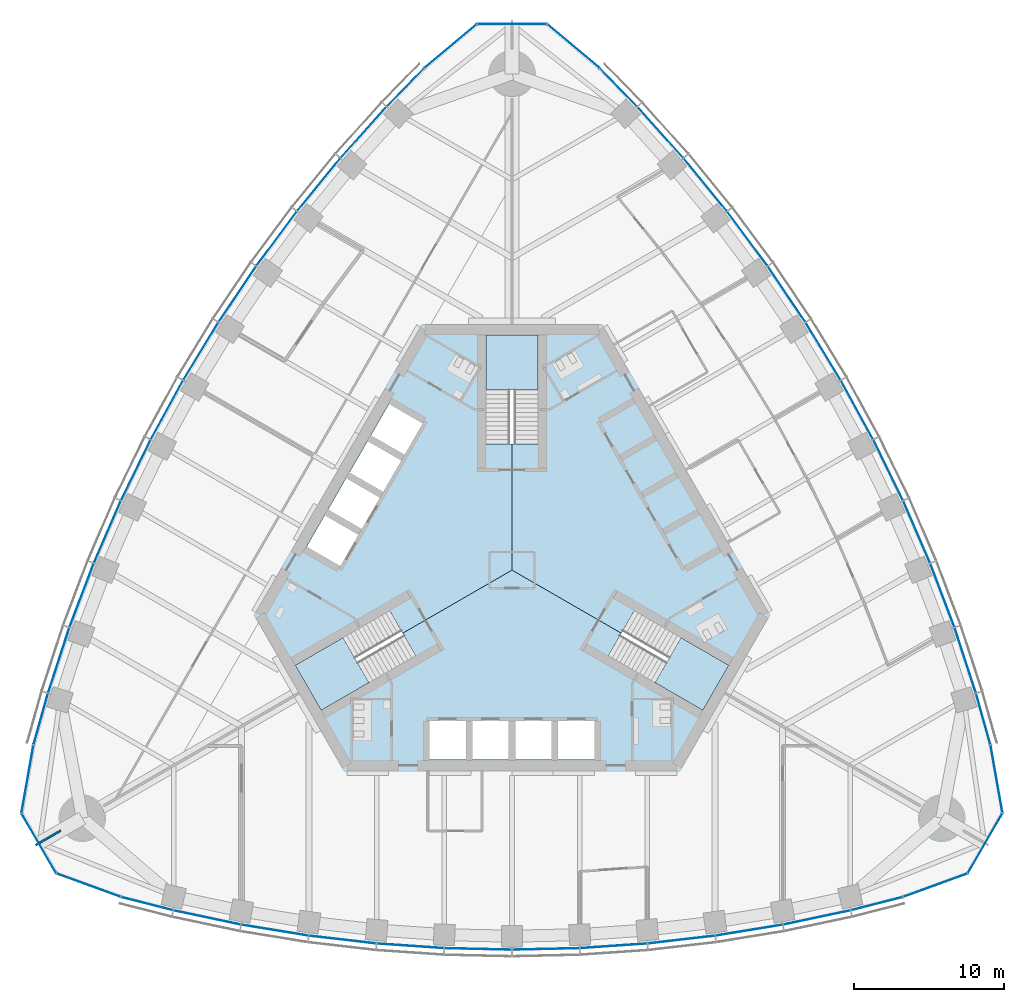
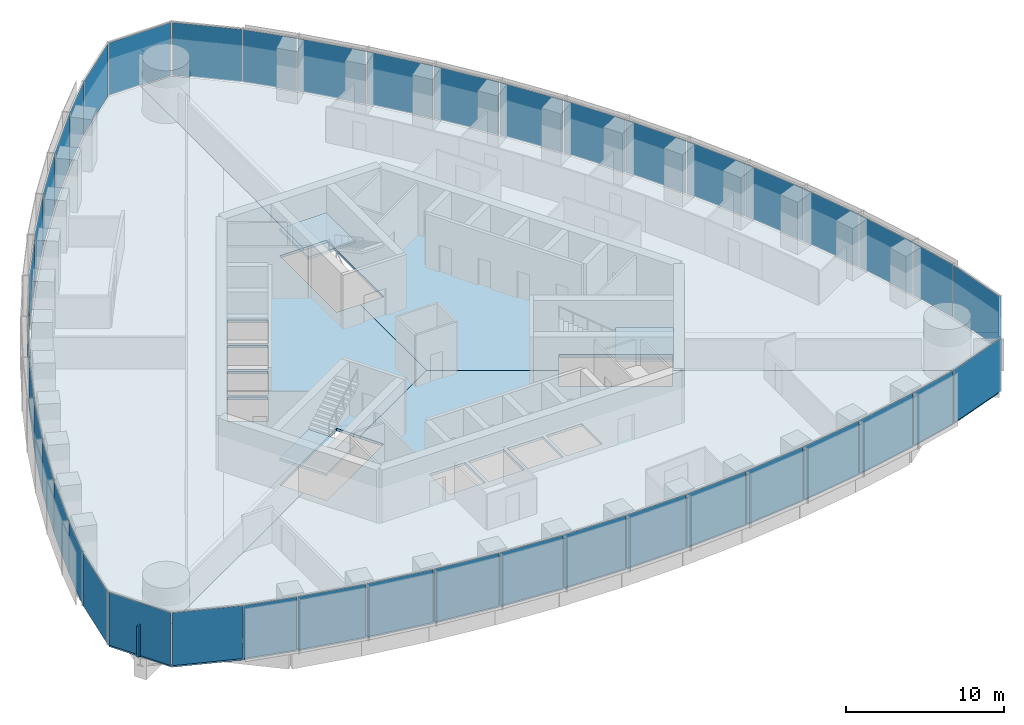
# One storey, part 10 of 19: 45 plates, 6 slabs, 1 wall, 9 elements without a shape of their own.
"""IFC4 building model written with IfcOpenShell, lengths in metres."""

from ifc_helpers import new_model, si_unit, direction, frame, frame_2d, origin, origin_2d, place, context, subcontext, project, spatial, polyline, rectangle, outline, extrude, material, layer, layer_set, type_object, element, aggregate, save


model = new_model("IFC4")

# Units and contexts
model_context = context("Model", 3, precision=1e-05, world=origin(), true_north=direction((0.0, 1.0)))
body_context = subcontext(model_context, "Body", "Model", "MODEL_VIEW")
ifc_project = project(units=[si_unit("LENGTHUNIT", "METRE"), si_unit("AREAUNIT", "SQUARE_METRE"), si_unit("VOLUMEUNIT", "CUBIC_METRE"), si_unit("PLANEANGLEUNIT", "RADIAN"), si_unit("MASSUNIT", "GRAM", prefix="KILO")], contexts=[model_context])

# Site, building, storey
site_placement = place(None, origin())
site = spatial("IfcSite", under=ifc_project, at=site_placement, CompositionType="ELEMENT")
building_placement = place(site_placement, origin())
building = spatial("IfcBuilding", under=site, at=building_placement, Name="Trefoil Bronze Tower", CompositionType="ELEMENT")
storey_placement = place(building_placement, frame((0.0, 0.0, 256.89990234375)))
storey = spatial("IfcBuildingStorey", under=building, at=storey_placement, Name="L59", CompositionType="ELEMENT", Elevation=256.89990234375)

# Curtain wall, plates
ifc_material_1 = material(Name="Tinted solar-control glass", Category="glass")
curtain_wall_type_1 = type_object("IfcCurtainWallType", Name="Bronze office curtain wall", PredefinedType="USERDEFINED", material=ifc_material_1)
curtain_wall_1_placement = place(storey_placement, origin())
curtain_wall_1 = element("IfcCurtainWall", 1, at=curtain_wall_1_placement, inside=storey, type_object=curtain_wall_type_1, Name="CW-A L59 F1", ObjectType="CURTAIN WALL", PredefinedType="USERDEFINED")
ifc_material_2 = material(Name="Tinted solar-control glass", Category="glass")
ifc_layer_1 = layer(ifc_material_2, 0.030029296875)
ifc_layer_set_1 = layer_set([ifc_layer_1], Name="Bronze office curtain wall glass panel")
plate_type_1 = type_object("IfcPlateType", Name="Bronze office curtain wall glass panel", PredefinedType="CURTAIN_PANEL", material=ifc_layer_set_1)
plate_1_placement = place(storey_placement, frame((-24.251220703125, -22.188232421875, 0.0), z_axis=(0.0, 0.0, 1.0), x_axis=(0.968934035393, -0.247319297786, 0.0)))
plate_1 = element("IfcPlate", 2, at=plate_1_placement, type_object=plate_type_1, Name="CW-A L59 F1 panel 1", PredefinedType="CURTAIN_PANEL", context=body_context, shape_type="SweptSolid", body=[
    extrude(rectangle(XDim=3.483642578125, YDim=0.030029296875, at=origin_2d()), origin(), (0.0, 0.0, 1.0), 4.080078125),
])
plate_2_placement = place(storey_placement, frame((-20.270751953125, -23.105224609375, 0.0), z_axis=(0.0, 0.0, 1.0), x_axis=(0.978394335897, -0.20674748725, 0.0)))
plate_2 = element("IfcPlate", 3, at=plate_2_placement, type_object=plate_type_1, Name="CW-A L59 F1 panel 2", PredefinedType="CURTAIN_PANEL", context=body_context, shape_type="SweptSolid", body=[
    extrude(rectangle(XDim=4.519287109375, YDim=0.030029296875, at=origin_2d()), origin(), (0.0, 0.0, 1.0), 4.080078125),
])
plate_3_placement = place(storey_placement, frame((-15.76611328125, -23.9482421875, 0.0), z_axis=(0.0, 0.0, 1.0), x_axis=(0.986986549528, -0.160802832848, 0.0)))
plate_3 = element("IfcPlate", 4, at=plate_3_placement, type_object=plate_type_1, Name="CW-A L59 F1 panel 3", PredefinedType="CURTAIN_PANEL", context=body_context, shape_type="SweptSolid", body=[
    extrude(rectangle(XDim=4.479248046875, YDim=0.030029296875, at=origin_2d()), origin(), (0.0, 0.0, 1.0), 4.080078125),
])
plate_4_placement = place(storey_placement, frame((-11.261474609375, -24.57568359375, 0.0), z_axis=(0.0, 0.0, 1.0), x_axis=(0.993381831741, -0.114858767043, 0.0)))
plate_4 = element("IfcPlate", 5, at=plate_4_placement, type_object=plate_type_1, Name="CW-A L59 F1 panel 4", PredefinedType="CURTAIN_PANEL", context=body_context, shape_type="SweptSolid", body=[
    extrude(rectangle(XDim=4.449951171875, YDim=0.030029296875, at=origin_2d()), origin(), (0.0, 0.0, 1.0), 4.080078125),
])
plate_5_placement = place(storey_placement, frame((-6.7568359375, -24.991455078125, 0.0), z_axis=(0.0, 0.0, 1.0), x_axis=(0.99762252804, -0.068915103905, 0.0)))
plate_5 = element("IfcPlate", 6, at=plate_5_placement, type_object=plate_type_1, Name="CW-A L59 F1 panel 5", PredefinedType="CURTAIN_PANEL", context=body_context, shape_type="SweptSolid", body=[
    extrude(rectangle(XDim=4.4306640625, YDim=0.030029296875, at=origin_2d()), origin(), (0.0, 0.0, 1.0), 4.080078125),
])
plate_6_placement = place(storey_placement, frame((-2.252197265625, -25.198974609375, 0.0), z_axis=(0.0, 0.0, 1.0), x_axis=(0.999736116243, -0.022971675577, 0.0)))
plate_6 = element("IfcPlate", 7, at=plate_6_placement, type_object=plate_type_1, Name="CW-A L59 F1 panel 6", PredefinedType="CURTAIN_PANEL", context=body_context, shape_type="SweptSolid", body=[
    extrude(rectangle(XDim=4.421142578125, YDim=0.030029296875, at=origin_2d()), origin(), (0.0, 0.0, 1.0), 4.080078125),
])
plate_7_placement = place(storey_placement, frame((2.252197265625, -25.198974609375, 0.0), z_axis=(0.0, 0.0, 1.0), x_axis=(0.999736116243, 0.022971675577, 0.0)))
plate_7 = element("IfcPlate", 8, at=plate_7_placement, type_object=plate_type_1, Name="CW-A L59 F1 panel 7", PredefinedType="CURTAIN_PANEL", context=body_context, shape_type="SweptSolid", body=[
    extrude(rectangle(XDim=4.421142578125, YDim=0.030029296875, at=origin_2d()), origin(), (0.0, 0.0, 1.0), 4.080078125),
])
plate_8_placement = place(storey_placement, frame((6.7568359375, -24.991455078125, 0.0), z_axis=(0.0, 0.0, 1.0), x_axis=(0.99762252804, 0.068915103905, 0.0)))
plate_8 = element("IfcPlate", 9, at=plate_8_placement, type_object=plate_type_1, Name="CW-A L59 F1 panel 8", PredefinedType="CURTAIN_PANEL", context=body_context, shape_type="SweptSolid", body=[
    extrude(rectangle(XDim=4.4306640625, YDim=0.030029296875, at=origin_2d()), origin(), (0.0, 0.0, 1.0), 4.080078125),
])
plate_9_placement = place(storey_placement, frame((11.261474609375, -24.57568359375, 0.0), z_axis=(0.0, 0.0, 1.0), x_axis=(0.993381831741, 0.114858767043, 0.0)))
plate_9 = element("IfcPlate", 10, at=plate_9_placement, type_object=plate_type_1, Name="CW-A L59 F1 panel 9", PredefinedType="CURTAIN_PANEL", context=body_context, shape_type="SweptSolid", body=[
    extrude(rectangle(XDim=4.449951171875, YDim=0.030029296875, at=origin_2d()), origin(), (0.0, 0.0, 1.0), 4.080078125),
])
plate_10_placement = place(storey_placement, frame((15.76611328125, -23.9482421875, 0.0), z_axis=(0.0, 0.0, 1.0), x_axis=(0.986986549528, 0.160802832848, 0.0)))
plate_10 = element("IfcPlate", 11, at=plate_10_placement, type_object=plate_type_1, Name="CW-A L59 F1 panel 10", PredefinedType="CURTAIN_PANEL", context=body_context, shape_type="SweptSolid", body=[
    extrude(rectangle(XDim=4.479248046875, YDim=0.030029296875, at=origin_2d()), origin(), (0.0, 0.0, 1.0), 4.080078125),
])
plate_11_placement = place(storey_placement, frame((20.270751953125, -23.105224609375, 0.0), z_axis=(0.0, 0.0, 1.0), x_axis=(0.978394335897, 0.20674748725, 0.0)))
plate_11 = element("IfcPlate", 12, at=plate_11_placement, type_object=plate_type_1, Name="CW-A L59 F1 panel 11", PredefinedType="CURTAIN_PANEL", context=body_context, shape_type="SweptSolid", body=[
    extrude(rectangle(XDim=4.519287109375, YDim=0.030029296875, at=origin_2d()), origin(), (0.0, 0.0, 1.0), 4.080078125),
])
plate_12_placement = place(storey_placement, frame((24.251220703125, -22.188232421875, 0.0), z_axis=(0.0, 0.0, 1.0), x_axis=(0.968934035393, 0.247319297786, 0.0)))
plate_12 = element("IfcPlate", 13, at=plate_12_placement, type_object=plate_type_1, Name="CW-A L59 F1 panel 12", PredefinedType="CURTAIN_PANEL", context=body_context, shape_type="SweptSolid", body=[
    extrude(rectangle(XDim=3.483642578125, YDim=0.030029296875, at=origin_2d()), origin(), (0.0, 0.0, 1.0), 4.080078125),
])
aggregate(curtain_wall_1, [plate_1, plate_2, plate_3, plate_4, plate_5, plate_6, plate_7, plate_8, plate_9, plate_10, plate_11, plate_12])

curtain_wall_2_placement = place(storey_placement, origin())
curtain_wall_2 = element("IfcCurtainWall", 14, at=curtain_wall_2_placement, inside=storey, type_object=curtain_wall_type_1, Name="CW-A L59 F2", ObjectType="CURTAIN WALL", PredefinedType="USERDEFINED")
plate_13_placement = place(storey_placement, frame((31.341064453125, -9.907958984375, 0.0), z_axis=(0.0, 0.0, 1.0), x_axis=(-0.270282222968, 0.962781138134, 0.0)))
plate_13 = element("IfcPlate", 15, at=plate_13_placement, type_object=plate_type_1, Name="CW-A L59 F2 panel 1", PredefinedType="CURTAIN_PANEL", context=body_context, shape_type="SweptSolid", body=[
    extrude(rectangle(XDim=3.483642578125, YDim=0.030029296875, at=origin_2d()), origin(), (0.0, 0.0, 1.0), 4.080078125),
])
plate_14_placement = place(storey_placement, frame((30.14501953125, -6.002197265625, 0.0), z_axis=(0.0, 0.0, 1.0), x_axis=(-0.310148591821, 0.950688093431, 0.0)))
plate_14 = element("IfcPlate", 16, at=plate_14_placement, type_object=plate_type_1, Name="CW-A L59 F2 panel 2", PredefinedType="CURTAIN_PANEL", context=body_context, shape_type="SweptSolid", body=[
    extrude(rectangle(XDim=4.519287109375, YDim=0.030029296875, at=origin_2d()), origin(), (0.0, 0.0, 1.0), 4.080078125),
])
plate_15_placement = place(storey_placement, frame((28.622802734375, -1.6796875, 0.0), z_axis=(0.0, 0.0, 1.0), x_axis=(-0.354233936517, 0.935156841508, 0.0)))
plate_15 = element("IfcPlate", 17, at=plate_15_placement, type_object=plate_type_1, Name="CW-A L59 F2 panel 3", PredefinedType="CURTAIN_PANEL", context=body_context, shape_type="SweptSolid", body=[
    extrude(rectangle(XDim=4.479248046875, YDim=0.030029296875, at=origin_2d()), origin(), (0.0, 0.0, 1.0), 4.080078125),
])
plate_16_placement = place(storey_placement, frame((26.913818359375, 2.53515625, 0.0), z_axis=(0.0, 0.0, 1.0), x_axis=(-0.397220305764, 0.917723285467, 0.0)))
plate_16 = element("IfcPlate", 18, at=plate_16_placement, type_object=plate_type_1, Name="CW-A L59 F2 panel 4", PredefinedType="CURTAIN_PANEL", context=body_context, shape_type="SweptSolid", body=[
    extrude(rectangle(XDim=4.449951171875, YDim=0.030029296875, at=origin_2d()), origin(), (0.0, 0.0, 1.0), 4.080078125),
])
plate_17_placement = place(storey_placement, frame((25.021728515625, 6.64404296875, 0.0), z_axis=(0.0, 0.0, 1.0), x_axis=(-0.439129033334, 0.898424004623, 0.0)))
plate_17 = element("IfcPlate", 19, at=plate_17_placement, type_object=plate_type_1, Name="CW-A L59 F2 panel 5", PredefinedType="CURTAIN_PANEL", context=body_context, shape_type="SweptSolid", body=[
    extrude(rectangle(XDim=4.4306640625, YDim=0.030029296875, at=origin_2d()), origin(), (0.0, 0.0, 1.0), 4.080078125),
])
plate_18_placement = place(storey_placement, frame((22.948974609375, 10.64892578125, 0.0), z_axis=(0.0, 0.0, 1.0), x_axis=(-0.479974003504, 0.877282711536, 0.0)))
plate_18 = element("IfcPlate", 20, at=plate_18_placement, type_object=plate_type_1, Name="CW-A L59 F2 panel 6", PredefinedType="CURTAIN_PANEL", context=body_context, shape_type="SweptSolid", body=[
    extrude(rectangle(XDim=4.421142578125, YDim=0.030029296875, at=origin_2d()), origin(), (0.0, 0.0, 1.0), 4.080078125),
])
plate_19_placement = place(storey_placement, frame((20.69677734375, 14.550048828125, 0.0), z_axis=(0.0, 0.0, 1.0), x_axis=(-0.519762112739, 0.854311035959, 0.0)))
plate_19 = element("IfcPlate", 21, at=plate_19_placement, type_object=plate_type_1, Name="CW-A L59 F2 panel 7", PredefinedType="CURTAIN_PANEL", context=body_context, shape_type="SweptSolid", body=[
    extrude(rectangle(XDim=4.421142578125, YDim=0.030029296875, at=origin_2d()), origin(), (0.0, 0.0, 1.0), 4.080078125),
])
plate_20_placement = place(storey_placement, frame((18.264892578125, 18.347412109375, 0.0), z_axis=(0.0, 0.0, 1.0), x_axis=(-0.558493494706, 0.829508900718, 0.0)))
plate_20 = element("IfcPlate", 22, at=plate_20_placement, type_object=plate_type_1, Name="CW-A L59 F2 panel 8", PredefinedType="CURTAIN_PANEL", context=body_context, shape_type="SweptSolid", body=[
    extrude(rectangle(XDim=4.4306640625, YDim=0.030029296875, at=origin_2d()), origin(), (0.0, 0.0, 1.0), 4.080078125),
])
plate_21_placement = place(storey_placement, frame((15.65234375, 22.04052734375, 0.0), z_axis=(0.0, 0.0, 1.0), x_axis=(-0.596161525977, 0.802864518425, 0.0)))
plate_21 = element("IfcPlate", 23, at=plate_21_placement, type_object=plate_type_1, Name="CW-A L59 F2 panel 9", PredefinedType="CURTAIN_PANEL", context=body_context, shape_type="SweptSolid", body=[
    extrude(rectangle(XDim=4.449951171875, YDim=0.030029296875, at=origin_2d()), origin(), (0.0, 0.0, 1.0), 4.080078125),
])
plate_22_placement = place(storey_placement, frame((12.856689453125, 25.6279296875, 0.0), z_axis=(0.0, 0.0, 1.0), x_axis=(-0.63275261301, 0.774354008661, 0.0)))
plate_22 = element("IfcPlate", 24, at=plate_22_placement, type_object=plate_type_1, Name="CW-A L59 F2 panel 10", PredefinedType="CURTAIN_PANEL", context=body_context, shape_type="SweptSolid", body=[
    extrude(rectangle(XDim=4.479248046875, YDim=0.030029296875, at=origin_2d()), origin(), (0.0, 0.0, 1.0), 4.080078125),
])
plate_23_placement = place(storey_placement, frame((9.87451171875, 29.107666015625, 0.0), z_axis=(0.0, 0.0, 1.0), x_axis=(-0.668245744076, 0.743940606181, 0.0)))
plate_23 = element("IfcPlate", 25, at=plate_23_placement, type_object=plate_type_1, Name="CW-A L59 F2 panel 11", PredefinedType="CURTAIN_PANEL", context=body_context, shape_type="SweptSolid", body=[
    extrude(rectangle(XDim=4.519287109375, YDim=0.030029296875, at=origin_2d()), origin(), (0.0, 0.0, 1.0), 4.080078125),
])
plate_24_placement = place(storey_placement, frame((7.08984375, 32.09619140625, 0.0), z_axis=(0.0, 0.0, 1.0), x_axis=(-0.698651812425, 0.715461840349, 0.0)))
plate_24 = element("IfcPlate", 26, at=plate_24_placement, type_object=plate_type_1, Name="CW-A L59 F2 panel 12", PredefinedType="CURTAIN_PANEL", context=body_context, shape_type="SweptSolid", body=[
    extrude(rectangle(XDim=3.483642578125, YDim=0.030029296875, at=origin_2d()), origin(), (0.0, 0.0, 1.0), 4.080078125),
])
aggregate(curtain_wall_2, [plate_13, plate_14, plate_15, plate_16, plate_17, plate_18, plate_19, plate_20, plate_21, plate_22, plate_23, plate_24])

curtain_wall_3_placement = place(storey_placement, origin())
curtain_wall_3 = element("IfcCurtainWall", 27, at=curtain_wall_3_placement, inside=storey, type_object=curtain_wall_type_1, Name="CW-A L59 F3", ObjectType="CURTAIN WALL", PredefinedType="USERDEFINED")
plate_25_placement = place(storey_placement, frame((-7.08984375, 32.09619140625, 0.0), z_axis=(0.0, 0.0, 1.0), x_axis=(-0.698651812425, -0.715461840349, 0.0)))
plate_25 = element("IfcPlate", 28, at=plate_25_placement, type_object=plate_type_1, Name="CW-A L59 F3 panel 1", PredefinedType="CURTAIN_PANEL", context=body_context, shape_type="SweptSolid", body=[
    extrude(rectangle(XDim=3.483642578125, YDim=0.030029296875, at=origin_2d()), origin(), (0.0, 0.0, 1.0), 4.080078125),
])
plate_26_placement = place(storey_placement, frame((-9.87451171875, 29.107666015625, 0.0), z_axis=(0.0, 0.0, 1.0), x_axis=(-0.668245744076, -0.743940606181, 0.0)))
plate_26 = element("IfcPlate", 29, at=plate_26_placement, type_object=plate_type_1, Name="CW-A L59 F3 panel 2", PredefinedType="CURTAIN_PANEL", context=body_context, shape_type="SweptSolid", body=[
    extrude(rectangle(XDim=4.519287109375, YDim=0.030029296875, at=origin_2d()), origin(), (0.0, 0.0, 1.0), 4.080078125),
])
plate_27_placement = place(storey_placement, frame((-12.856689453125, 25.6279296875, 0.0), z_axis=(0.0, 0.0, 1.0), x_axis=(-0.63275261301, -0.774354008661, 0.0)))
plate_27 = element("IfcPlate", 30, at=plate_27_placement, type_object=plate_type_1, Name="CW-A L59 F3 panel 3", PredefinedType="CURTAIN_PANEL", context=body_context, shape_type="SweptSolid", body=[
    extrude(rectangle(XDim=4.479248046875, YDim=0.030029296875, at=origin_2d()), origin(), (0.0, 0.0, 1.0), 4.080078125),
])
plate_28_placement = place(storey_placement, frame((-15.65234375, 22.04052734375, 0.0), z_axis=(0.0, 0.0, 1.0), x_axis=(-0.596161525977, -0.802864518425, 0.0)))
plate_28 = element("IfcPlate", 31, at=plate_28_placement, type_object=plate_type_1, Name="CW-A L59 F3 panel 4", PredefinedType="CURTAIN_PANEL", context=body_context, shape_type="SweptSolid", body=[
    extrude(rectangle(XDim=4.449951171875, YDim=0.030029296875, at=origin_2d()), origin(), (0.0, 0.0, 1.0), 4.080078125),
])
plate_29_placement = place(storey_placement, frame((-18.264892578125, 18.347412109375, 0.0), z_axis=(0.0, 0.0, 1.0), x_axis=(-0.558493494706, -0.829508900718, 0.0)))
plate_29 = element("IfcPlate", 32, at=plate_29_placement, type_object=plate_type_1, Name="CW-A L59 F3 panel 5", PredefinedType="CURTAIN_PANEL", context=body_context, shape_type="SweptSolid", body=[
    extrude(rectangle(XDim=4.4306640625, YDim=0.030029296875, at=origin_2d()), origin(), (0.0, 0.0, 1.0), 4.080078125),
])
plate_30_placement = place(storey_placement, frame((-20.69677734375, 14.550048828125, 0.0), z_axis=(0.0, 0.0, 1.0), x_axis=(-0.519762112739, -0.854311035959, 0.0)))
plate_30 = element("IfcPlate", 33, at=plate_30_placement, type_object=plate_type_1, Name="CW-A L59 F3 panel 6", PredefinedType="CURTAIN_PANEL", context=body_context, shape_type="SweptSolid", body=[
    extrude(rectangle(XDim=4.421142578125, YDim=0.030029296875, at=origin_2d()), origin(), (0.0, 0.0, 1.0), 4.080078125),
])
plate_31_placement = place(storey_placement, frame((-22.948974609375, 10.64892578125, 0.0), z_axis=(0.0, 0.0, 1.0), x_axis=(-0.479974003504, -0.877282711536, 0.0)))
plate_31 = element("IfcPlate", 34, at=plate_31_placement, type_object=plate_type_1, Name="CW-A L59 F3 panel 7", PredefinedType="CURTAIN_PANEL", context=body_context, shape_type="SweptSolid", body=[
    extrude(rectangle(XDim=4.421142578125, YDim=0.030029296875, at=origin_2d()), origin(), (0.0, 0.0, 1.0), 4.080078125),
])
plate_32_placement = place(storey_placement, frame((-25.021728515625, 6.64404296875, 0.0), z_axis=(0.0, 0.0, 1.0), x_axis=(-0.439129033334, -0.898424004623, 0.0)))
plate_32 = element("IfcPlate", 35, at=plate_32_placement, type_object=plate_type_1, Name="CW-A L59 F3 panel 8", PredefinedType="CURTAIN_PANEL", context=body_context, shape_type="SweptSolid", body=[
    extrude(rectangle(XDim=4.4306640625, YDim=0.030029296875, at=origin_2d()), origin(), (0.0, 0.0, 1.0), 4.080078125),
])
plate_33_placement = place(storey_placement, frame((-26.913818359375, 2.53515625, 0.0), z_axis=(0.0, 0.0, 1.0), x_axis=(-0.397220305764, -0.917723285467, 0.0)))
plate_33 = element("IfcPlate", 36, at=plate_33_placement, type_object=plate_type_1, Name="CW-A L59 F3 panel 9", PredefinedType="CURTAIN_PANEL", context=body_context, shape_type="SweptSolid", body=[
    extrude(rectangle(XDim=4.449951171875, YDim=0.030029296875, at=origin_2d()), origin(), (0.0, 0.0, 1.0), 4.080078125),
])
plate_34_placement = place(storey_placement, frame((-28.622802734375, -1.6796875, 0.0), z_axis=(0.0, 0.0, 1.0), x_axis=(-0.354233936517, -0.935156841508, 0.0)))
plate_34 = element("IfcPlate", 37, at=plate_34_placement, type_object=plate_type_1, Name="CW-A L59 F3 panel 10", PredefinedType="CURTAIN_PANEL", context=body_context, shape_type="SweptSolid", body=[
    extrude(rectangle(XDim=4.479248046875, YDim=0.030029296875, at=origin_2d()), origin(), (0.0, 0.0, 1.0), 4.080078125),
])
plate_35_placement = place(storey_placement, frame((-30.14501953125, -6.002197265625, 0.0), z_axis=(0.0, 0.0, 1.0), x_axis=(-0.310148591821, -0.950688093431, 0.0)))
plate_35 = element("IfcPlate", 38, at=plate_35_placement, type_object=plate_type_1, Name="CW-A L59 F3 panel 11", PredefinedType="CURTAIN_PANEL", context=body_context, shape_type="SweptSolid", body=[
    extrude(rectangle(XDim=4.519287109375, YDim=0.030029296875, at=origin_2d()), origin(), (0.0, 0.0, 1.0), 4.080078125),
])
plate_36_placement = place(storey_placement, frame((-31.341064453125, -9.907958984375, 0.0), z_axis=(0.0, 0.0, 1.0), x_axis=(-0.270282222968, -0.962781138134, 0.0)))
plate_36 = element("IfcPlate", 39, at=plate_36_placement, type_object=plate_type_1, Name="CW-A L59 F3 panel 12", PredefinedType="CURTAIN_PANEL", context=body_context, shape_type="SweptSolid", body=[
    extrude(rectangle(XDim=3.483642578125, YDim=0.030029296875, at=origin_2d()), origin(), (0.0, 0.0, 1.0), 4.080078125),
])
aggregate(curtain_wall_3, [plate_25, plate_26, plate_27, plate_28, plate_29, plate_30, plate_31, plate_32, plate_33, plate_34, plate_35, plate_36])

ifc_material_3 = material(Name="Tinted solar-control glass", Category="glass")
curtain_wall_type_2 = type_object("IfcCurtainWallType", Name="Bronze rounded corner curtain wall", PredefinedType="USERDEFINED", material=ifc_material_3)
curtain_wall_4_placement = place(storey_placement, origin())
curtain_wall_4 = element("IfcCurtainWall", 40, at=curtain_wall_4_placement, inside=storey, type_object=curtain_wall_type_2, Name="CW-B L59 K1", ObjectType="CURTAIN WALL", PredefinedType="USERDEFINED")
ifc_material_4 = material(Name="Tinted solar-control glass", Category="glass")
ifc_layer_2 = layer(ifc_material_4, 0.030029296875)
ifc_layer_set_2 = layer_set([ifc_layer_2], Name="Bronze rounded corner curtain wall glass panel")
plate_type_2 = type_object("IfcPlateType", Name="Bronze rounded corner curtain wall glass panel", PredefinedType="CURTAIN_PANEL", material=ifc_layer_set_2)
plate_37_placement = place(storey_placement, frame((28.1298828125, -20.96484375, 0.0), z_axis=(0.0, 0.0, 1.0), x_axis=(0.939692620786, 0.342020143326, 0.0)))
plate_37 = element("IfcPlate", 41, at=plate_37_placement, type_object=plate_type_2, Name="CW-B L59 K1 panel 1", PredefinedType="CURTAIN_PANEL", context=body_context, shape_type="SweptSolid", body=[
    extrude(rectangle(XDim=4.500244140625, YDim=0.030029296875, at=origin_2d()), origin(), (0.0, 0.0, 1.0), 4.080078125),
])
plate_38_placement = place(storey_placement, frame((31.46484375, -18.166259765625, 0.0), z_axis=(0.0, 0.0, 1.0), x_axis=(0.5, 0.866025403784, 0.0)))
plate_38 = element("IfcPlate", 42, at=plate_38_placement, type_object=plate_type_2, Name="CW-B L59 K1 panel 2", PredefinedType="CURTAIN_PANEL", context=body_context, shape_type="SweptSolid", body=[
    extrude(rectangle(XDim=4.500244140625, YDim=0.030029296875, at=origin_2d()), origin(), (0.0, 0.0, 1.0), 4.080078125),
])
plate_39_placement = place(storey_placement, frame((32.220947265625, -13.878662109375, 0.0), z_axis=(0.0, 0.0, 1.0), x_axis=(-0.173648177667, 0.984807753012, 0.0)))
plate_39 = element("IfcPlate", 43, at=plate_39_placement, type_object=plate_type_2, Name="CW-B L59 K1 panel 3", PredefinedType="CURTAIN_PANEL", context=body_context, shape_type="SweptSolid", body=[
    extrude(rectangle(XDim=4.500244140625, YDim=0.030029296875, at=origin_2d()), origin(), (0.0, 0.0, 1.0), 4.080078125),
])
aggregate(curtain_wall_4, [plate_37, plate_38, plate_39])

curtain_wall_5_placement = place(storey_placement, origin())
curtain_wall_5 = element("IfcCurtainWall", 44, at=curtain_wall_5_placement, inside=storey, type_object=curtain_wall_type_2, Name="CW-B L59 K2", ObjectType="CURTAIN WALL", PredefinedType="USERDEFINED")
plate_40_placement = place(storey_placement, frame((4.091064453125, 34.843505859375, 0.0), z_axis=(0.0, 0.0, 1.0), x_axis=(-0.766044443119, 0.642787609687, 0.0)))
plate_40 = element("IfcPlate", 45, at=plate_40_placement, type_object=plate_type_2, Name="CW-B L59 K2 panel 1", PredefinedType="CURTAIN_PANEL", context=body_context, shape_type="SweptSolid", body=[
    extrude(rectangle(XDim=4.500244140625, YDim=0.030029296875, at=origin_2d()), origin(), (0.0, 0.0, 1.0), 4.080078125),
])
plate_41_placement = place(storey_placement, frame((0.0, 36.33251953125, 0.0), z_axis=(0.0, 0.0, 1.0), x_axis=(-1.0, 0.0, 0.0)))
plate_41 = element("IfcPlate", 46, at=plate_41_placement, type_object=plate_type_2, Name="CW-B L59 K2 panel 2", PredefinedType="CURTAIN_PANEL", context=body_context, shape_type="SweptSolid", body=[
    extrude(rectangle(XDim=4.500244140625, YDim=0.030029296875, at=origin_2d()), origin(), (0.0, 0.0, 1.0), 4.080078125),
])
plate_42_placement = place(storey_placement, frame((-4.091064453125, 34.843505859375, 0.0), z_axis=(0.0, 0.0, 1.0), x_axis=(-0.766044443119, -0.642787609687, 0.0)))
plate_42 = element("IfcPlate", 47, at=plate_42_placement, type_object=plate_type_2, Name="CW-B L59 K2 panel 3", PredefinedType="CURTAIN_PANEL", context=body_context, shape_type="SweptSolid", body=[
    extrude(rectangle(XDim=4.500244140625, YDim=0.030029296875, at=origin_2d()), origin(), (0.0, 0.0, 1.0), 4.080078125),
])
aggregate(curtain_wall_5, [plate_40, plate_41, plate_42])

curtain_wall_6_placement = place(storey_placement, origin())
curtain_wall_6 = element("IfcCurtainWall", 48, at=curtain_wall_6_placement, inside=storey, type_object=curtain_wall_type_2, Name="CW-B L59 K3", ObjectType="CURTAIN WALL", PredefinedType="USERDEFINED")
plate_43_placement = place(storey_placement, frame((-32.220947265625, -13.878662109375, 0.0), z_axis=(0.0, 0.0, 1.0), x_axis=(-0.173648177667, -0.984807753012, 0.0)))
plate_43 = element("IfcPlate", 49, at=plate_43_placement, type_object=plate_type_2, Name="CW-B L59 K3 panel 1", PredefinedType="CURTAIN_PANEL", context=body_context, shape_type="SweptSolid", body=[
    extrude(rectangle(XDim=4.500244140625, YDim=0.030029296875, at=origin_2d()), origin(), (0.0, 0.0, 1.0), 4.080078125),
])
plate_44_placement = place(storey_placement, frame((-31.46484375, -18.166259765625, 0.0), z_axis=(0.0, 0.0, 1.0), x_axis=(0.5, -0.866025403784, 0.0)))
plate_44 = element("IfcPlate", 50, at=plate_44_placement, type_object=plate_type_2, Name="CW-B L59 K3 panel 2", PredefinedType="CURTAIN_PANEL", context=body_context, shape_type="SweptSolid", body=[
    extrude(rectangle(XDim=4.500244140625, YDim=0.030029296875, at=origin_2d()), origin(), (0.0, 0.0, 1.0), 4.080078125),
])
plate_45_placement = place(storey_placement, frame((-28.1298828125, -20.96484375, 0.0), z_axis=(0.0, 0.0, 1.0), x_axis=(0.939692620786, -0.342020143326, 0.0)))
plate_45 = element("IfcPlate", 51, at=plate_45_placement, type_object=plate_type_2, Name="CW-B L59 K3 panel 3", PredefinedType="CURTAIN_PANEL", context=body_context, shape_type="SweptSolid", body=[
    extrude(rectangle(XDim=4.500244140625, YDim=0.030029296875, at=origin_2d()), origin(), (0.0, 0.0, 1.0), 4.080078125),
])
aggregate(curtain_wall_6, [plate_43, plate_44, plate_45])

# Slabs
ifc_material_5 = material(Name="Concrete B30", Category="concrete")
ifc_layer_3 = layer(ifc_material_5, 0.199951171875)
ifc_layer_set_3 = layer_set([ifc_layer_3], Name="Floor slab 200")
slab_type_1 = type_object("IfcSlabType", Name="Floor slab 200", PredefinedType="FLOOR", material=ifc_layer_set_3)
slab_1_placement = place(storey_placement, frame((0.0, 0.0, -0.199951171875)))
element("IfcSlab", 52, at=slab_1_placement, inside=storey, type_object=slab_type_1, Name="Floor slab L59 face 1", PredefinedType="FLOOR", context=body_context, shape_type="SweptSolid", body=[
    extrude(outline(polyline([(18.0, -23.48291015625), (13.5, -24.216064453125), (9.0, -24.736328125), (4.5, -25.047119140625), (0.0, -25.150634765625), (-4.5, -25.047119140625), (-9.0, -24.736328125), (-13.5, -24.216064453125), (-18.0, -23.48291015625), (-22.5, -22.531982421875), (-25.952880859375, -21.650634765625), (-30.23828125, -20.0908203125), (-31.37841796875, -18.1162109375), (-13.510009765625, -7.800048828125), (-12.6474609375, -9.2939453125), (-6.412109375, -5.69384765625), (-7.274658203125, -4.199951171875), (0.0, 0.0), (7.274658203125, -4.199951171875), (6.412109375, -5.69384765625), (12.6474609375, -9.2939453125), (13.510009765625, -7.800048828125), (31.37841796875, -18.1162109375), (30.23828125, -20.0908203125), (25.952880859375, -21.650634765625), (22.5, -22.531982421875), (18.0, -23.48291015625)]), holes=[polyline([(-5.574951171875, -10.02490234375), (-2.97509765625, -10.02490234375), (-2.97509765625, -12.60009765625), (-5.574951171875, -12.60009765625), (-5.574951171875, -10.02490234375)]), polyline([(-2.72509765625, -10.02490234375), (-0.125, -10.02490234375), (-0.125, -12.60009765625), (-2.72509765625, -12.60009765625), (-2.72509765625, -10.02490234375)]), polyline([(0.125, -10.02490234375), (2.72509765625, -10.02490234375), (2.72509765625, -12.60009765625), (0.125, -12.60009765625), (0.125, -10.02490234375)]), polyline([(2.97509765625, -10.02490234375), (5.574951171875, -10.02490234375), (5.574951171875, -12.60009765625), (2.97509765625, -12.60009765625), (2.97509765625, -10.02490234375)])]), origin(), (0.0, 0.0, 1.0), 0.199951171875),
])
slab_2_placement = place(storey_placement, frame((0.0, 0.0, -0.199951171875)))
element("IfcSlab", 53, at=slab_2_placement, inside=storey, type_object=slab_type_1, Name="Floor slab L59 face 2", PredefinedType="FLOOR", context=body_context, shape_type="SweptSolid", body=[
    extrude(outline(polyline([(11.3369140625, 27.329833984375), (14.2216796875, 23.79931640625), (16.92236328125, 20.162353515625), (19.441650390625, 16.420654296875), (21.781005859375, 12.575439453125), (23.941650390625, 8.62646484375), (25.92236328125, 4.573974609375), (27.7216796875, 0.416748046875), (29.3369140625, -3.846923828125), (30.76318359375, -8.219482421875), (31.7265625, -11.650634765625), (32.518310546875, -16.1416015625), (31.37841796875, -18.1162109375), (13.510009765625, -7.800048828125), (14.37255859375, -6.30615234375), (8.13720703125, -2.7060546875), (7.274658203125, -4.199951171875), (0.0, 0.0), (0.0, 8.39990234375), (1.72509765625, 8.39990234375), (1.72509765625, 15.60009765625), (0.0, 15.60009765625), (0.0, 36.232666015625), (2.280029296875, 36.232666015625), (5.7734375, 33.30126953125), (8.26318359375, 30.75146484375), (11.3369140625, 27.329833984375)])), origin(), (0.0, 0.0, 1.0), 0.199951171875),
])
slab_3_placement = place(storey_placement, frame((0.0, 0.0, -0.199951171875)))
element("IfcSlab", 54, at=slab_3_placement, inside=storey, type_object=slab_type_1, Name="Floor slab L59 face 3", PredefinedType="FLOOR", context=body_context, shape_type="SweptSolid", body=[
    extrude(outline(polyline([(-29.3369140625, -3.846923828125), (-27.7216796875, 0.416748046875), (-25.92236328125, 4.573974609375), (-23.941650390625, 8.62646484375), (-21.781005859375, 12.575439453125), (-19.441650390625, 16.420654296875), (-16.92236328125, 20.162353515625), (-14.2216796875, 23.79931640625), (-11.3369140625, 27.329833984375), (-8.26318359375, 30.75146484375), (-5.7734375, 33.30126953125), (-2.280029296875, 36.232666015625), (0.0, 36.232666015625), (0.0, 15.60009765625), (-1.72509765625, 15.60009765625), (-1.72509765625, 8.39990234375), (0.0, 8.39990234375), (0.0, 0.0), (-7.274658203125, -4.199951171875), (-8.13720703125, -2.7060546875), (-14.37255859375, -6.30615234375), (-13.510009765625, -7.800048828125), (-31.37841796875, -18.1162109375), (-32.518310546875, -16.1416015625), (-31.7265625, -11.650634765625), (-30.76318359375, -8.219482421875), (-29.3369140625, -3.846923828125)]), holes=[polyline([(-5.894287109375, 9.840576171875), (-7.1943359375, 7.5888671875), (-9.42431640625, 8.87646484375), (-8.12451171875, 11.128173828125), (-5.894287109375, 9.840576171875)]), polyline([(-7.3193359375, 7.372314453125), (-8.619384765625, 5.120849609375), (-10.849365234375, 6.408203125), (-9.54931640625, 8.659912109375), (-7.3193359375, 7.372314453125)]), polyline([(-8.744384765625, 4.904296875), (-10.04443359375, 2.652587890625), (-12.2744140625, 3.940185546875), (-10.974365234375, 6.191650390625), (-8.744384765625, 4.904296875)]), polyline([(-10.16943359375, 2.43603515625), (-11.469482421875, 0.184326171875), (-13.699462890625, 1.471923828125), (-12.3994140625, 3.7236328125), (-10.16943359375, 2.43603515625)])]), origin(), (0.0, 0.0, 1.0), 0.199951171875),
])

# Stair, slab
ifc_material_6 = material(Name="Precast concrete B80", Category="concrete")
stair_type = type_object("IfcStairType", Name="Exit stair 26 risers", PredefinedType="HALF_TURN_STAIR", material=ifc_material_6)
stair_1_placement = place(storey_placement, origin())
stair_1 = element("IfcStair", 55, at=stair_1_placement, inside=storey, type_object=stair_type, Name="Stair ST1 L59", PredefinedType="HALF_TURN_STAIR")
ifc_material_7 = material(Name="Concrete B30", Category="concrete")
ifc_layer_4 = layer(ifc_material_7, 0.199951171875)
ifc_layer_set_4 = layer_set([ifc_layer_4], Name="Stair landing 200")
slab_type_2 = type_object("IfcSlabType", Name="Stair landing 200", PredefinedType="LANDING", material=ifc_layer_set_4)
slab_4_placement = place(storey_placement, frame((0.0, 0.0, 1.900146484375)))
slab_4 = element("IfcSlab", 56, at=slab_4_placement, type_object=slab_type_2, Name="ST1 landing 1", PredefinedType="LANDING", context=body_context, shape_type="SweptSolid", body=[
    extrude(outline(polyline([(9.512451171875, -7.48388671875), (12.69091796875, -9.31884765625), (14.415771484375, -6.3310546875), (11.237548828125, -4.49609375), (9.512451171875, -7.48388671875)])), origin(), (0.0, 0.0, 1.0), 0.199951171875),
])
aggregate(stair_1, [slab_4])

stair_2_placement = place(storey_placement, origin())
stair_2 = element("IfcStair", 57, at=stair_2_placement, inside=storey, type_object=stair_type, Name="Stair ST2 L59", PredefinedType="HALF_TURN_STAIR")
slab_5_placement = place(storey_placement, frame((0.0, 0.0, 1.900146484375)))
slab_5 = element("IfcSlab", 58, at=slab_5_placement, type_object=slab_type_2, Name="ST2 landing 1", PredefinedType="LANDING", context=body_context, shape_type="SweptSolid", body=[
    extrude(outline(polyline([(1.72509765625, 11.97998046875), (1.72509765625, 15.64990234375), (-1.72509765625, 15.64990234375), (-1.72509765625, 11.97998046875), (1.72509765625, 11.97998046875)])), origin(), (0.0, 0.0, 1.0), 0.199951171875),
])
aggregate(stair_2, [slab_5])

stair_3_placement = place(storey_placement, origin())
stair_3 = element("IfcStair", 59, at=stair_3_placement, inside=storey, type_object=stair_type, Name="Stair ST3 L59", PredefinedType="HALF_TURN_STAIR")
slab_6_placement = place(storey_placement, frame((0.0, 0.0, 1.900146484375)))
slab_6 = element("IfcSlab", 60, at=slab_6_placement, type_object=slab_type_2, Name="ST3 landing 1", PredefinedType="LANDING", context=body_context, shape_type="SweptSolid", body=[
    extrude(outline(polyline([(-11.237548828125, -4.49609375), (-14.415771484375, -6.3310546875), (-12.69091796875, -9.31884765625), (-9.512451171875, -7.48388671875), (-11.237548828125, -4.49609375)])), origin(), (0.0, 0.0, 1.0), 0.199951171875),
])
aggregate(stair_3, [slab_6])

# Wall
ifc_material_8 = material(Name="Gypsum board on steel studs", Category="steel")
ifc_layer_5 = layer(ifc_material_8, 0.14990234375)
ifc_layer_set_5 = layer_set([ifc_layer_5], Name="Party wall 150")
wall_type = type_object("IfcWallType", Name="Party wall 150", PredefinedType="PARTITIONING", material=ifc_layer_set_5)
wall_placement = place(storey_placement, frame((-30.0078125, -17.324951171875, 0.0), z_axis=(0.0, 0.0, 1.0), x_axis=(-0.866013246922, -0.500021055713, 0.0)))
element("IfcWall", 61, at=wall_placement, inside=storey, type_object=wall_type, Name="Party wall K3 L59", PredefinedType="PARTITIONING", context=body_context, shape_type="SweptSolid", body=[
    extrude(rectangle(XDim=1.9345703125, YDim=0.14990234375, at=frame_2d((0.96728515625, 0.0))), origin(), (0.0, 0.0, 1.0), 2.400146484375),
])

save(model, "model.ifc")
